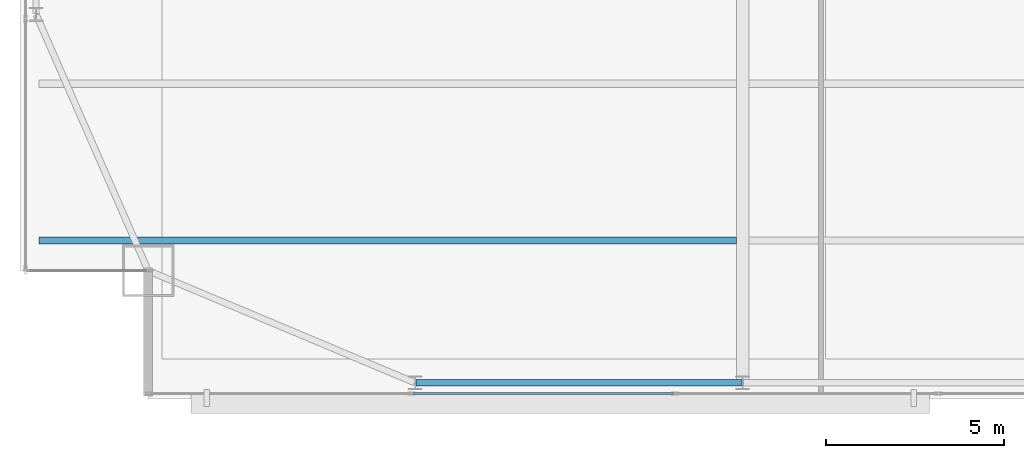
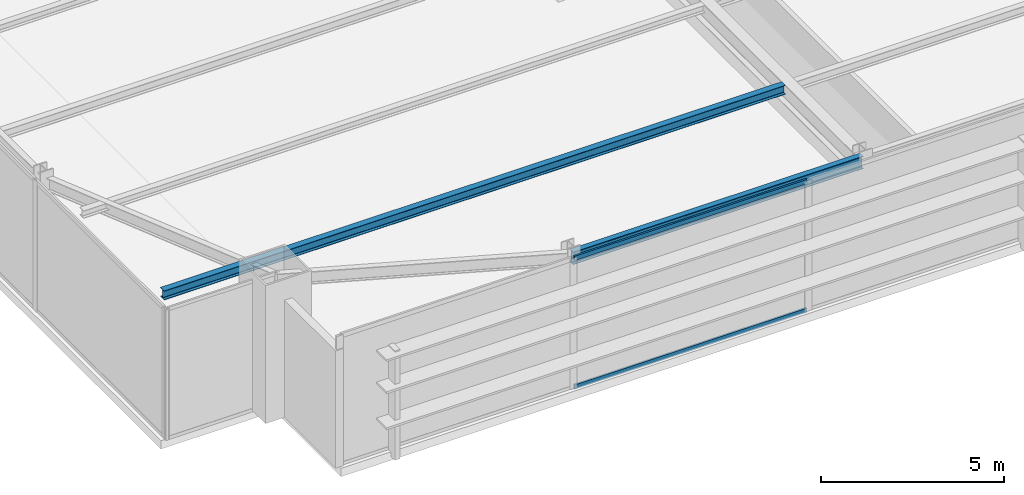
# One storey, part 6 of 32: 2 beams, 2 members, 1 element without a shape of its own.
"""IFC4 building model written with IfcOpenShell, lengths in metres."""

from ifc_helpers import new_model, si_unit, direction, frame, origin, origin_2d, place, context, subcontext, project, spatial, hollow_rectangle, i_section, extrude, source, transform, mapped, material, layer, layer_set, material_profile, profile_set, type_object, type_shapes, element, aggregate, save


model = new_model("IFC4")

# Units and contexts
model_context = context("Model", 3, precision=1e-05, world=origin(), true_north=direction((0.0, 1.0)))
body_context = subcontext(model_context, "Body", "Model", "MODEL_VIEW")
ifc_project = project(units=[si_unit("LENGTHUNIT", "METRE"), si_unit("AREAUNIT", "SQUARE_METRE"), si_unit("VOLUMEUNIT", "CUBIC_METRE"), si_unit("PLANEANGLEUNIT", "RADIAN"), si_unit("MASSUNIT", "GRAM", prefix="KILO")], contexts=[model_context])

# Site, building, storey
site_placement = place(None, origin())
site = spatial("IfcSite", under=ifc_project, at=site_placement, CompositionType="ELEMENT")
building_placement = place(site_placement, origin())
building = spatial("IfcBuilding", under=site, at=building_placement, Name="Varnel Quay Broadcast Tower", CompositionType="ELEMENT")
storey_placement = place(building_placement, frame((0.0, 0.0, 98.39990234375)))
storey = spatial("IfcBuildingStorey", under=building, at=storey_placement, Name="L23", CompositionType="ELEMENT", Elevation=98.39990234375)

# Beams
ifc_material_1 = material(Name="Structural Steel CSA G40.21 350W", Category="steel")
ifc_material_profile_1 = material_profile(ifc_material_1, i_section(OverallWidth=0.180908203125, OverallDepth=0.4169921875, WebThickness=0.010986328125, FlangeThickness=0.018310546875, FilletRadius=0.011962890625, at=origin_2d()), Name="W410X85")
ifc_profile_set_1 = profile_set([ifc_material_profile_1], Name="Structural Steel CSA G40.21 350W")
beam_type_1 = type_object("IfcBeamType", Name="Beam_W410X85", PredefinedType="SPANDREL", material=ifc_profile_set_1)
shared_shape_1 = source(origin(), body_context, "Body", "SweptSolid", [
    extrude(i_section(OverallWidth=0.180908203125, OverallDepth=0.4169921875, WebThickness=0.010986328125, FlangeThickness=0.018310546875, FilletRadius=0.011962890625, at=origin_2d()), origin(), (0.0, 0.0, 1.0), 9.159912109375),
])
type_shapes(beam_type_1, [shared_shape_1])
beam_1_placement = place(storey_placement, frame((15.6201171875, 4.64990234375, 4.1416015625), z_axis=(1.0, 0.0, 0.0), x_axis=(0.0, 1.0, 0.0)))
element("IfcBeam", 1, at=beam_1_placement, inside=storey, type_object=beam_type_1, Name="L23 South Spandrel TC-S1-TC-S2", PredefinedType="SPANDREL", context=body_context, shape_type="MappedRepresentation", body=[
    mapped(shared_shape_1, transform((0.0, 0.0, 0.0), x_axis=(1.0, 0.0, 0.0), y_axis=(0.0, 1.0, 0.0), z_axis=(0.0, 0.0, 1.0), scale=1.0)),
])
ifc_material_profile_2 = material_profile(ifc_material_1, i_section(OverallWidth=0.202880859375, OverallDepth=0.302978515625, WebThickness=0.007568359375, FlangeThickness=0.01318359375, FilletRadius=0.011962890625, at=origin_2d()), Name="W310X60")
ifc_profile_set_2 = profile_set([ifc_material_profile_2], Name="Structural Steel CSA G40.21 350W")
beam_type_2 = type_object("IfcBeamType", Name="Beam_W310X60", PredefinedType="JOIST", material=ifc_profile_set_2)
shared_shape_2 = source(origin(), body_context, "Body", "SweptSolid", [
    extrude(i_section(OverallWidth=0.202880859375, OverallDepth=0.302978515625, WebThickness=0.007568359375, FlangeThickness=0.01318359375, FilletRadius=0.011962890625, at=origin_2d()), origin(), (0.0, 0.0, 1.0), 19.592041015625),
])
type_shapes(beam_type_2, [shared_shape_2])
beam_2_placement = place(storey_placement, frame((5.035400390625, 8.64990234375, 4.198486328125), z_axis=(1.0, 0.0, 0.0), x_axis=(0.0, 1.0, 0.0)))
element("IfcBeam", 2, at=beam_2_placement, inside=storey, type_object=beam_type_2, Name="L23 West Floor Joist 1", PredefinedType="JOIST", context=body_context, shape_type="MappedRepresentation", body=[
    mapped(shared_shape_2, transform((0.0, 0.0, 0.0), x_axis=(1.0, 0.0, 0.0), y_axis=(0.0, 1.0, 0.0), z_axis=(0.0, 0.0, 1.0), scale=1.0)),
])

# Curtain wall, members
ifc_material_2 = material(Name="Anodised Bronze Aluminium 6063-T6", Category="aluminium")
ifc_layer = layer(ifc_material_2, 0.18994140625, Name="Anodised Bronze Aluminium 6063-T6")
ifc_layer_set = layer_set([ifc_layer], Name="Anodised Bronze Aluminium 6063-T6")
curtain_wall_type = type_object("IfcCurtainWallType", Name="CW_SkyObsHighVis", PredefinedType="NOTDEFINED", material=ifc_layer_set)
curtain_wall_placement = place(storey_placement, origin())
curtain_wall = element("IfcCurtainWall", 3, at=curtain_wall_placement, inside=storey, type_object=curtain_wall_type, Name="L23 South Unitised Curtain Wall 1", PredefinedType="NOTDEFINED")
ifc_material_profile_3 = material_profile(ifc_material_2, hollow_rectangle(XDim=0.06005859375, YDim=0.14501953125, WallThickness=0.00341796875, at=origin_2d()), Name="ALU60X145X3.5")
ifc_profile_set_3 = profile_set([ifc_material_profile_3], Name="Anodised Bronze Aluminium 6063-T6")
member_type = type_object("IfcMemberType", Name="Tran_CWS-05", PredefinedType="USERDEFINED", material=ifc_profile_set_3)
shared_shape_3 = source(origin(), body_context, "Body", "SweptSolid", [
    extrude(hollow_rectangle(XDim=0.06005859375, YDim=0.14501953125, WallThickness=0.00341796875, at=origin_2d()), origin(), (0.0, 0.0, 1.0), 7.324951171875),
])
type_shapes(member_type, [shared_shape_3])
member_1_placement = place(storey_placement, frame((15.53759765625, 4.35009765625, 0.030029296875), z_axis=(1.0, 0.0, 0.0), x_axis=(0.0, 1.0, 0.0)))
member_1 = element("IfcMember", 4, at=member_1_placement, type_object=member_type, Name="CWS-05 transom 2.1", ObjectType="TRANSOM", PredefinedType="USERDEFINED", context=body_context, shape_type="MappedRepresentation", body=[
    mapped(shared_shape_3, transform((0.0, 0.0, 0.0), x_axis=(1.0, 0.0, 0.0), y_axis=(0.0, 1.0, 0.0), z_axis=(0.0, 0.0, 1.0), scale=1.0)),
])
member_2_placement = place(storey_placement, frame((15.53759765625, 4.35009765625, 4.320068359375), z_axis=(1.0, 0.0, 0.0), x_axis=(0.0, 1.0, 0.0)))
member_2 = element("IfcMember", 5, at=member_2_placement, type_object=member_type, Name="CWS-05 transom 2.2", ObjectType="TRANSOM", PredefinedType="USERDEFINED", context=body_context, shape_type="MappedRepresentation", body=[
    mapped(shared_shape_3, transform((0.0, 0.0, 0.0), x_axis=(1.0, 0.0, 0.0), y_axis=(0.0, 1.0, 0.0), z_axis=(0.0, 0.0, 1.0), scale=1.0)),
])
aggregate(curtain_wall, [member_1, member_2])

save(model, "model.ifc")
